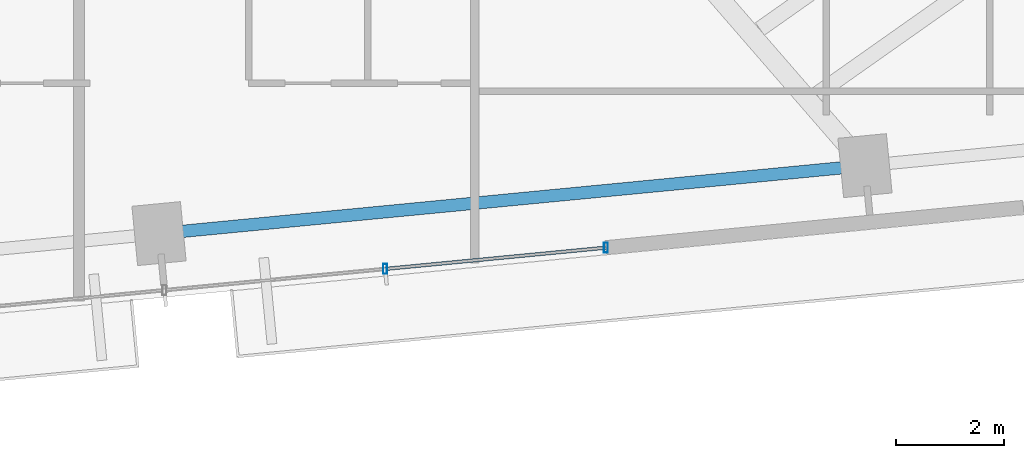
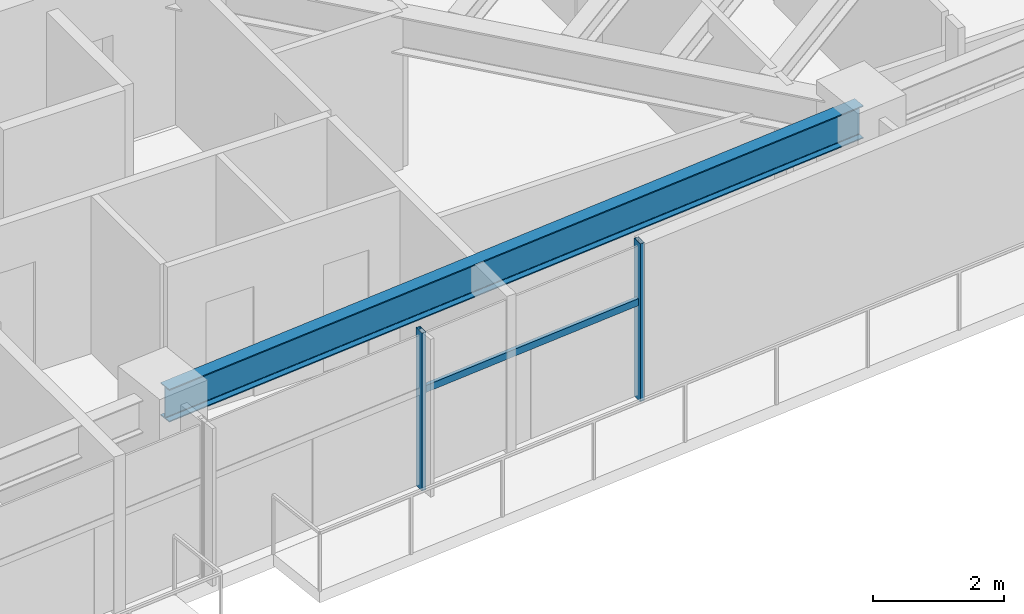
# One storey, part 12 of 25: 3 members, 1 beam, 1 element without a shape of its own.
"""IFC4 building model written with IfcOpenShell, lengths in metres."""

from ifc_helpers import new_model, si_unit, direction, frame, origin, origin_2d, place, context, subcontext, project, spatial, hollow_rectangle, i_section, extrude, source, transform, mapped, material, material_profile, profile_set, type_object, type_shapes, element, aggregate, save


model = new_model("IFC4")

# Units and contexts
model_context = context("Model", 3, precision=1e-05, world=origin(), true_north=direction((0.0, 1.0)))
body_context = subcontext(model_context, "Body", "Model", "MODEL_VIEW")
ifc_project = project(units=[si_unit("LENGTHUNIT", "METRE"), si_unit("AREAUNIT", "SQUARE_METRE"), si_unit("VOLUMEUNIT", "CUBIC_METRE"), si_unit("PLANEANGLEUNIT", "RADIAN"), si_unit("MASSUNIT", "GRAM", prefix="KILO")], contexts=[model_context])

# Site, building, storey
site_placement = place(None, origin())
site = spatial("IfcSite", under=ifc_project, at=site_placement, CompositionType="ELEMENT")
building_placement = place(site_placement, origin())
building = spatial("IfcBuilding", under=site, at=building_placement, Name="Astriad Promenade Condominiums", CompositionType="ELEMENT")
storey_placement = place(building_placement, frame((0.0, 0.0, 106.60009765625)))
storey = spatial("IfcBuildingStorey", under=building, at=storey_placement, Name="L30", CompositionType="ELEMENT", Elevation=106.60009765625)

# Beam
ifc_material_1 = material(Name="Steel ASTM A992 Grade 50", Category="steel")
ifc_material_profile_1 = material_profile(ifc_material_1, i_section(OverallWidth=0.22900390625, OverallDepth=0.612060546875, WebThickness=0.011962890625, FlangeThickness=0.01953125, FilletRadius=0.017822265625, at=origin_2d()), Name="W24X84")
ifc_profile_set_1 = profile_set([ifc_material_profile_1], Name="Steel ASTM A992 Grade 50")
beam_type = type_object("IfcBeamType", Name="STEEL SPANDREL BEAM W24X84", PredefinedType="SPANDREL", material=ifc_profile_set_1)
shared_shape_1 = source(origin(), body_context, "Body", "SweptSolid", [
    extrude(i_section(OverallWidth=0.22900390625, OverallDepth=0.612060546875, WebThickness=0.011962890625, FlangeThickness=0.01953125, FilletRadius=0.017822265625, at=origin_2d()), origin(), (0.0, 0.0, 1.0), 13.02001953125),
])
type_shapes(beam_type, [shared_shape_1])
beam_placement = place(storey_placement, frame((40.085205078125, 7.5244140625, 2.6337890625), z_axis=(0.995395138946, 0.095856754395, 0.0), x_axis=(-0.095856754395, 0.995395138946, 0.0)))
element("IfcBeam", 1, at=beam_placement, inside=storey, type_object=beam_type, Name="Perimeter Spandrel Beam SP-S3-L30", PredefinedType="SPANDREL", context=body_context, shape_type="MappedRepresentation", body=[
    mapped(shared_shape_1, transform((0.0, 0.0, 0.0), scale=1.0)),
])

# Curtain wall, members
ifc_material_2 = material(Name="Anodised aluminium Black Dark Glass Unitised", Category="aluminium")
curtain_wall_type = type_object("IfcCurtainWallType", Name="CW-B2-DARK", PredefinedType="USERDEFINED", material=ifc_material_2)
curtain_wall_placement = place(storey_placement, origin())
curtain_wall = element("IfcCurtainWall", 2, at=curtain_wall_placement, inside=storey, type_object=curtain_wall_type, Name="CW-L30-S", ObjectType="UNITISED_CURTAIN_WALL", PredefinedType="USERDEFINED")
ifc_material_3 = material(Name="Anodised aluminium 6063-T6 Black", Category="aluminium")
ifc_material_profile_2 = material_profile(ifc_material_3, hollow_rectangle(XDim=0.074951171875, YDim=0.18505859375, WallThickness=0.00439453125, at=origin_2d()), Name="ALU-MUL-75X185")
ifc_profile_set_2 = profile_set([ifc_material_profile_2], Name="Anodised aluminium 6063-T6 Black")
member_type_1 = type_object("IfcMemberType", Name="MUL-ALU-MUL-75X185", PredefinedType="MULLION", material=ifc_profile_set_2)
shared_shape_2 = source(origin(), body_context, "Body", "SweptSolid", [
    extrude(hollow_rectangle(XDim=0.074951171875, YDim=0.18505859375, WallThickness=0.00439453125, at=origin_2d()), origin(), (0.0, 0.0, 1.0), 2.93994140625),
])
type_shapes(member_type_1, [shared_shape_2])
member_1_placement = place(storey_placement, frame((48.29833984375, 7.260498046875, 0.0), z_axis=(0.0, 0.0, 1.0), x_axis=(1.0, 0.0, 0.0)))
member_1 = element("IfcMember", 3, at=member_1_placement, type_object=member_type_1, Name="CW-L30-S-MUL-00", PredefinedType="MULLION", context=body_context, shape_type="MappedRepresentation", body=[
    mapped(shared_shape_2, transform((0.0, 0.0, 0.0), scale=1.0)),
])
member_2_placement = place(storey_placement, frame((44.22216796875, 6.867919921875, 0.0), z_axis=(0.0, 0.0, 1.0), x_axis=(1.0, 0.0, 0.0)))
member_2 = element("IfcMember", 4, at=member_2_placement, type_object=member_type_1, Name="CW-L30-S-MUL-01", PredefinedType="MULLION", context=body_context, shape_type="MappedRepresentation", body=[
    mapped(shared_shape_2, transform((0.0, 0.0, 0.0), scale=1.0)),
])
ifc_material_profile_3 = material_profile(ifc_material_3, hollow_rectangle(XDim=0.06494140625, YDim=0.1298828125, WallThickness=0.00390625, at=origin_2d()), Name="ALU-TRN-65X130")
ifc_profile_set_3 = profile_set([ifc_material_profile_3], Name="Anodised aluminium 6063-T6 Black")
member_type_2 = type_object("IfcMemberType", Name="TRN-ALU-TRN-65X130", PredefinedType="USERDEFINED", material=ifc_profile_set_3)
shared_shape_3 = source(origin(), body_context, "Body", "SweptSolid", [
    extrude(hollow_rectangle(XDim=0.06494140625, YDim=0.1298828125, WallThickness=0.00390625, at=origin_2d()), origin(), (0.0, 0.0, 1.0), 4.094970703125),
])
type_shapes(member_type_2, [shared_shape_3])
member_3_placement = place(storey_placement, frame((48.29833984375, 7.260498046875, 1.82275390625), z_axis=(-0.995394161585, -0.09586690296, 0.0), x_axis=(0.09586690296, -0.995394161585, 0.0)))
member_3 = element("IfcMember", 5, at=member_3_placement, type_object=member_type_2, Name="CW-L30-S-TRN-00-0", ObjectType="TRANSOM", PredefinedType="USERDEFINED", context=body_context, shape_type="MappedRepresentation", body=[
    mapped(shared_shape_3, transform((0.0, 0.0, 0.0), scale=1.0)),
])
aggregate(curtain_wall, [member_1, member_2, member_3])

save(model, "model.ifc")
